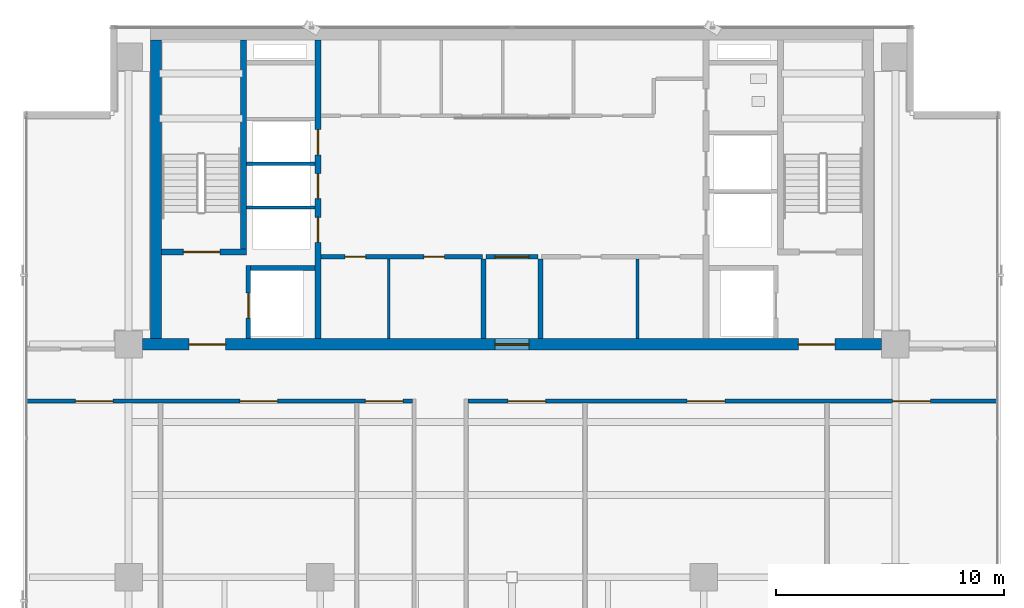
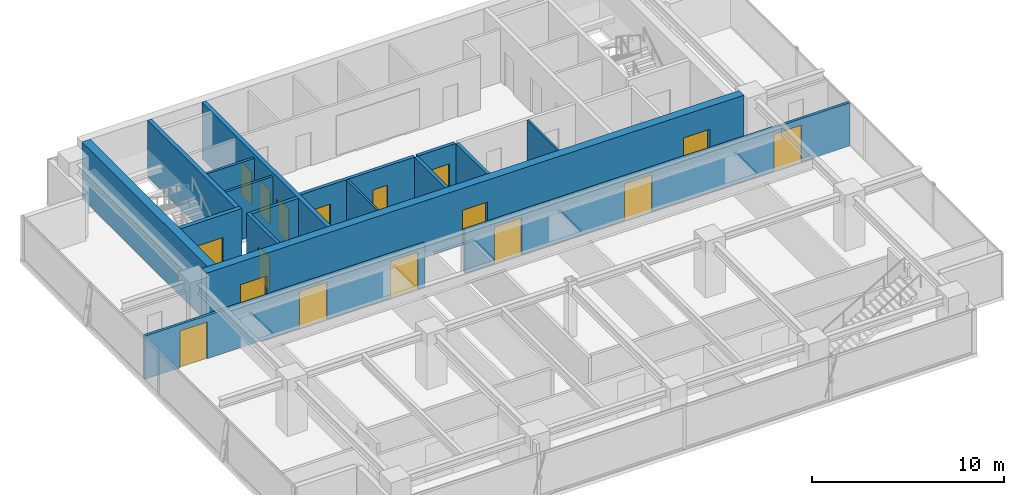
# One storey, part 15 of 22: 17 doors, 17 walls, 17 openings.
"""IFC4 building model written with IfcOpenShell, lengths in metres."""

from ifc_helpers import new_model, si_unit, direction, frame, frame_2d, origin, place, context, subcontext, project, spatial, rectangle, extrude, source, transform, mapped, material, layer, layer_set, type_object, element, fill, save


model = new_model("IFC4")

# Units and contexts
model_context = context("Model", 3, precision=1e-05, world=origin(), true_north=direction((0.0, 1.0)))
body_context = subcontext(model_context, "Body", "Model", "MODEL_VIEW")
ifc_project = project(units=[si_unit("LENGTHUNIT", "METRE"), si_unit("AREAUNIT", "SQUARE_METRE"), si_unit("VOLUMEUNIT", "CUBIC_METRE"), si_unit("PLANEANGLEUNIT", "RADIAN"), si_unit("MASSUNIT", "GRAM", prefix="KILO")], contexts=[model_context])

# Site, building, storey
site_placement = place(None, origin())
site = spatial("IfcSite", under=ifc_project, at=site_placement, CompositionType="ELEMENT")
building_placement = place(site_placement, origin())
building = spatial("IfcBuilding", under=site, at=building_placement, Name="Sumidabori Civic Tower", CompositionType="ELEMENT")
storey_placement = place(building_placement, frame((0.0, 0.0, 286.39990234375)))
storey = spatial("IfcBuildingStorey", under=building, at=storey_placement, Name="L75", CompositionType="ELEMENT", Elevation=286.39990234375)

# Walls
ifc_material_1 = material(Name="Concrete C50/60", Category="concrete")
ifc_layer_1 = layer(ifc_material_1, 0.199951171875, Name="Concrete C50/60")
ifc_layer_set_1 = layer_set([ifc_layer_1], Name="Concrete C50/60")
wall_type_1 = type_object("IfcWallType", Name="WL-SHAFT-200", PredefinedType="SHEAR", material=ifc_layer_set_1)
shared_shape_1 = source(origin(), body_context, "Body", "SweptSolid", [
    extrude(rectangle(XDim=2.824951171875, YDim=0.199951171875, at=frame_2d((1.41259765625, 0.0))), origin(), (0.0, 0.0, 1.0), 3.60009765625),
])
wall_1_placement = place(storey_placement, frame((-11.449951171875, 13.550048828125, 0.0), z_axis=(0.0, 0.0, 1.0), x_axis=(1.0, 0.0, 0.0)))
element("IfcWall", 1, at=wall_1_placement, inside=storey, type_object=wall_type_1, Name="Core Shear Wall L75 EL1-N", PredefinedType="SHEAR", context=body_context, shape_type="MappedRepresentation", body=[
    mapped(shared_shape_1, transform((0.0, 0.0, 0.0), x_axis=(1.0, 0.0, 0.0), y_axis=(0.0, 1.0, 0.0), z_axis=(0.0, 0.0, 1.0), scale=1.0)),
])
ifc_layer_2 = layer(ifc_material_1, 0.5, Name="Concrete C50/60")
ifc_layer_set_2 = layer_set([ifc_layer_2], Name="Concrete C50/60")
wall_type_2 = type_object("IfcWallType", Name="WL-CORE-500", PredefinedType="SHEAR", material=ifc_layer_set_2)
shared_shape_2 = source(origin(), body_context, "Body", "SweptSolid", [
    extrude(rectangle(XDim=13.10009765625, YDim=0.5, at=frame_2d((6.550048828125, 0.0))), origin(), (0.0, 0.0, 1.0), 3.60009765625),
])
wall_2_placement = place(storey_placement, frame((-15.60009765625, 10.449951171875, 0.0), z_axis=(0.0, 0.0, 1.0), x_axis=(0.0, 1.0, 0.0)))
element("IfcWall", 2, at=wall_2_placement, inside=storey, type_object=wall_type_2, Name="Core Shear Wall L75 W", PredefinedType="SHEAR", context=body_context, shape_type="MappedRepresentation", body=[
    mapped(shared_shape_2, transform((0.0, 0.0, 0.0), x_axis=(1.0, 0.0, 0.0), y_axis=(0.0, 1.0, 0.0), z_axis=(0.0, 0.0, 1.0), scale=1.0)),
])

# Wall, openings, doors
ifc_layer_3 = layer(ifc_material_1, 0.25, Name="Concrete C50/60")
ifc_layer_set_3 = layer_set([ifc_layer_3], Name="Concrete C50/60")
wall_type_3 = type_object("IfcWallType", Name="WL-SHAFT-250", PredefinedType="SHEAR", material=ifc_layer_set_3)
shared_shape_3 = source(origin(), body_context, "Body", "SweptSolid", [
    extrude(rectangle(XDim=13.10009765625, YDim=0.25, at=frame_2d((6.550048828125, 0.0))), origin(), (0.0, 0.0, 1.0), 3.60009765625),
])
wall_3_placement = place(storey_placement, frame((-8.5, 10.449951171875, 0.0), z_axis=(0.0, 0.0, 1.0), x_axis=(0.0, 1.0, 0.0)))
wall_3 = element("IfcWall", 3, at=wall_3_placement, inside=storey, type_object=wall_type_3, Name="Core Shear Wall L75 WEB-W", PredefinedType="SHEAR", context=body_context, shape_type="MappedRepresentation", body=[
    mapped(shared_shape_3, transform((0.0, 0.0, 0.0), x_axis=(1.0, 0.0, 0.0), y_axis=(0.0, 1.0, 0.0), z_axis=(0.0, 0.0, 1.0), scale=1.0)),
])
opening_1_placement = place(wall_3_placement, frame((4.219970703125, 0.0, 0.0)))
opening_1 = element("IfcOpeningElement", 4, at=opening_1_placement, cuts=wall_3, Name="Opening LD-1", PredefinedType="OPENING", context=body_context, shape_type="SweptSolid", body=[
    extrude(rectangle(XDim=1.10009765625, YDim=2.14990234375, at=frame_2d((0.550048828125, 1.074951171875))), frame((0.0, 0.136962890625, 0.0), z_axis=(0.0, -1.0, 0.0), x_axis=(1.0, 0.0, 0.0)), (0.0, 0.0, 1.0), 0.27392578125),
])
opening_2_placement = place(wall_3_placement, frame((6.139892578125, 0.0, 0.0)))
opening_2 = element("IfcOpeningElement", 5, at=opening_2_placement, cuts=wall_3, Name="Opening LD-1", PredefinedType="OPENING", context=body_context, shape_type="SweptSolid", body=[
    extrude(rectangle(XDim=1.10009765625, YDim=2.14990234375, at=frame_2d((0.550048828125, 1.074951171875))), frame((0.0, 0.136962890625, 0.0), z_axis=(0.0, -1.0, 0.0), x_axis=(1.0, 0.0, 0.0)), (0.0, 0.0, 1.0), 0.27392578125),
])
opening_3_placement = place(wall_3_placement, frame((8.06005859375, 0.0, 0.0)))
opening_3 = element("IfcOpeningElement", 6, at=opening_3_placement, cuts=wall_3, Name="Opening LD-1", PredefinedType="OPENING", context=body_context, shape_type="SweptSolid", body=[
    extrude(rectangle(XDim=1.10009765625, YDim=2.14990234375, at=frame_2d((0.550048828125, 1.074951171875))), frame((0.0, 0.136962890625, 0.0), z_axis=(0.0, -1.0, 0.0), x_axis=(1.0, 0.0, 0.0)), (0.0, 0.0, 1.0), 0.27392578125),
])
ifc_material_2 = material(Name="Stainless Steel Hairline Finish", Category="steel")
door_type_1 = type_object("IfcDoorType", Name="DR-LD1", OperationType="DOUBLE_DOOR_SLIDING", PredefinedType="DOOR", material=ifc_material_2)
shared_shape_4 = source(origin(), body_context, "Body", "SweptSolid", [
    extrude(rectangle(XDim=1.10009765625, YDim=2.14990234375, at=frame_2d((0.550048828125, 1.074951171875))), frame((0.0, 0.02490234375, 0.0), z_axis=(0.0, -1.0, 0.0), x_axis=(1.0, 0.0, 0.0)), (0.0, 0.0, 1.0), 0.050048828125),
])
door_1_placement = place(opening_1_placement, origin())
door_1 = element("IfcDoor", 7, at=door_1_placement, inside=storey, type_object=door_type_1, Name="Door DR:L75:LD-PLH1", OperationType="DOUBLE_DOOR_SLIDING", OverallHeight=2.14990234375, OverallWidth=1.10009765625, PredefinedType="DOOR", context=body_context, shape_type="MappedRepresentation", body=[
    mapped(shared_shape_4, transform((0.0, 0.0, 0.0), x_axis=(1.0, 0.0, 0.0), y_axis=(0.0, 1.0, 0.0), z_axis=(0.0, 0.0, 1.0), scale=1.0)),
])
fill(opening_1, door_1)
door_2_placement = place(opening_2_placement, origin())
door_2 = element("IfcDoor", 8, at=door_2_placement, inside=storey, type_object=door_type_1, Name="Door DR:L75:LD-PLH2", OperationType="DOUBLE_DOOR_SLIDING", OverallHeight=2.14990234375, OverallWidth=1.10009765625, PredefinedType="DOOR", context=body_context, shape_type="MappedRepresentation", body=[
    mapped(shared_shape_4, transform((0.0, 0.0, 0.0), x_axis=(1.0, 0.0, 0.0), y_axis=(0.0, 1.0, 0.0), z_axis=(0.0, 0.0, 1.0), scale=1.0)),
])
fill(opening_2, door_2)
door_3_placement = place(opening_3_placement, origin())
door_3 = element("IfcDoor", 9, at=door_3_placement, inside=storey, type_object=door_type_1, Name="Door DR:L75:LD-PLH3", OperationType="DOUBLE_DOOR_SLIDING", OverallHeight=2.14990234375, OverallWidth=1.10009765625, PredefinedType="DOOR", context=body_context, shape_type="MappedRepresentation", body=[
    mapped(shared_shape_4, transform((0.0, 0.0, 0.0), x_axis=(1.0, 0.0, 0.0), y_axis=(0.0, 1.0, 0.0), z_axis=(0.0, 0.0, 1.0), scale=1.0)),
])
fill(opening_3, door_3)

# Wall, opening, door
shared_shape_5 = source(origin(), body_context, "Body", "SweptSolid", [
    extrude(rectangle(XDim=3.705078125, YDim=0.25, at=frame_2d((1.8525390625, 0.0))), origin(), (0.0, 0.0, 1.0), 3.60009765625),
])
wall_4_placement = place(storey_placement, frame((-15.35009765625, 14.25, 0.0), z_axis=(0.0, 0.0, 1.0), x_axis=(1.0, 0.0, 0.0)))
wall_4 = element("IfcWall", 10, at=wall_4_placement, inside=storey, type_object=wall_type_3, Name="Core Shear Wall L75 ST1-S", PredefinedType="SHEAR", context=body_context, shape_type="MappedRepresentation", body=[
    mapped(shared_shape_5, transform((0.0, 0.0, 0.0), x_axis=(1.0, 0.0, 0.0), y_axis=(0.0, 1.0, 0.0), z_axis=(0.0, 0.0, 1.0), scale=1.0)),
])
opening_4_placement = place(wall_4_placement, frame((0.949951171875, 0.0, 0.0)))
opening_4 = element("IfcOpeningElement", 11, at=opening_4_placement, cuts=wall_4, Name="Opening DR-FD4", PredefinedType="OPENING", context=body_context, shape_type="SweptSolid", body=[
    extrude(rectangle(XDim=1.60009765625, YDim=2.14990234375, at=frame_2d((0.800048828125, 1.074951171875))), frame((0.0, 0.136962890625, 0.0), z_axis=(0.0, -1.0, 0.0), x_axis=(1.0, 0.0, 0.0)), (0.0, 0.0, 1.0), 0.27392578125),
])
ifc_material_3 = material(Name="Steel SN490", Category="steel")
door_type_2 = type_object("IfcDoorType", Name="DR-FD4", OperationType="DOUBLE_DOOR_SINGLE_SWING", PredefinedType="DOOR", material=ifc_material_3)
shared_shape_6 = source(origin(), body_context, "Body", "SweptSolid", [
    extrude(rectangle(XDim=1.60009765625, YDim=2.14990234375, at=frame_2d((0.800048828125, 1.074951171875))), frame((0.0, 0.02490234375, 0.0), z_axis=(0.0, -1.0, 0.0), x_axis=(1.0, 0.0, 0.0)), (0.0, 0.0, 1.0), 0.050048828125),
])
door_4_placement = place(opening_4_placement, origin())
door_4 = element("IfcDoor", 12, at=door_4_placement, inside=storey, type_object=door_type_2, Name="Door DR:L75:ST1", OperationType="DOUBLE_DOOR_SINGLE_SWING", OverallHeight=2.14990234375, OverallWidth=1.60009765625, PredefinedType="DOOR", context=body_context, shape_type="MappedRepresentation", body=[
    mapped(shared_shape_6, transform((0.0, 0.0, 0.0), x_axis=(1.0, 0.0, 0.0), y_axis=(0.0, 1.0, 0.0), z_axis=(0.0, 0.0, 1.0), scale=1.0)),
])
fill(opening_4, door_4)

# Wall
shared_shape_7 = source(origin(), body_context, "Body", "SweptSolid", [
    extrude(rectangle(XDim=9.175048828125, YDim=0.25, at=frame_2d((4.58740234375, 0.0))), origin(), (0.0, 0.0, 1.0), 3.60009765625),
])
wall_5_placement = place(storey_placement, frame((-11.77001953125, 14.375, 0.0), z_axis=(0.0, 0.0, 1.0), x_axis=(0.0, 1.0, 0.0)))
element("IfcWall", 13, at=wall_5_placement, inside=storey, type_object=wall_type_3, Name="Core Shear Wall L75 ST1-E", PredefinedType="SHEAR", context=body_context, shape_type="MappedRepresentation", body=[
    mapped(shared_shape_7, transform((0.0, 0.0, 0.0), x_axis=(1.0, 0.0, 0.0), y_axis=(0.0, 1.0, 0.0), z_axis=(0.0, 0.0, 1.0), scale=1.0)),
])

# Wall, opening, door
shared_shape_8 = source(origin(), body_context, "Body", "SweptSolid", [
    extrude(rectangle(XDim=3.199951171875, YDim=0.199951171875, at=frame_2d((1.60009765625, 0.0))), origin(), (0.0, 0.0, 1.0), 3.60009765625),
])
wall_6_placement = place(storey_placement, frame((-11.550048828125, 10.449951171875, 0.0), z_axis=(0.0, 0.0, 1.0), x_axis=(0.0, 1.0, 0.0)))
wall_6 = element("IfcWall", 14, at=wall_6_placement, inside=storey, type_object=wall_type_1, Name="Core Shear Wall L75 EL1-W", PredefinedType="SHEAR", context=body_context, shape_type="MappedRepresentation", body=[
    mapped(shared_shape_8, transform((0.0, 0.0, 0.0), x_axis=(1.0, 0.0, 0.0), y_axis=(0.0, 1.0, 0.0), z_axis=(0.0, 0.0, 1.0), scale=1.0)),
])
opening_5_placement = place(wall_6_placement, frame((0.89990234375, 0.0, 0.0)))
opening_5 = element("IfcOpeningElement", 15, at=opening_5_placement, cuts=wall_6, Name="Opening LD-2", PredefinedType="OPENING", context=body_context, shape_type="SweptSolid", body=[
    extrude(rectangle(XDim=1.10009765625, YDim=2.14990234375, at=frame_2d((0.550048828125, 1.074951171875))), frame((0.0, 0.11181640625, 0.0), z_axis=(0.0, -1.0, 0.0), x_axis=(1.0, 0.0, 0.0)), (0.0, 0.0, 1.0), 0.223876953125),
])
door_type_3 = type_object("IfcDoorType", Name="DR-LD2", OperationType="DOUBLE_DOOR_SLIDING", PredefinedType="DOOR", material=ifc_material_2)
door_5_placement = place(opening_5_placement, origin())
door_5 = element("IfcDoor", 16, at=door_5_placement, inside=storey, type_object=door_type_3, Name="Door DR:L75:LD-EL1", OperationType="DOUBLE_DOOR_SLIDING", OverallHeight=2.14990234375, OverallWidth=1.10009765625, PredefinedType="DOOR", context=body_context, shape_type="MappedRepresentation", body=[
    mapped(shared_shape_4, transform((0.0, 0.0, 0.0), x_axis=(1.0, 0.0, 0.0), y_axis=(0.0, 1.0, 0.0), z_axis=(0.0, 0.0, 1.0), scale=1.0)),
])
fill(opening_5, door_5)

# Wall, openings, doors
shared_shape_9 = source(origin(), body_context, "Body", "SweptSolid", [
    extrude(rectangle(XDim=32.39990234375, YDim=0.5, at=frame_2d((16.199951171875, 0.0))), origin(), (0.0, 0.0, 1.0), 3.60009765625),
])
wall_7_placement = place(storey_placement, frame((-16.199951171875, 10.199951171875, 0.0), z_axis=(0.0, 0.0, 1.0), x_axis=(1.0, 0.0, 0.0)))
wall_7 = element("IfcWall", 17, at=wall_7_placement, inside=storey, type_object=wall_type_2, Name="Core Shear Wall L75 S", PredefinedType="SHEAR", context=body_context, shape_type="MappedRepresentation", body=[
    mapped(shared_shape_9, transform((0.0, 0.0, 0.0), x_axis=(1.0, 0.0, 0.0), y_axis=(0.0, 1.0, 0.0), z_axis=(0.0, 0.0, 1.0), scale=1.0)),
])
opening_6_placement = place(wall_7_placement, frame((2.050048828125, 0.0, 0.0)))
opening_6 = element("IfcOpeningElement", 18, at=opening_6_placement, cuts=wall_7, Name="Opening DR-FD4", PredefinedType="OPENING", context=body_context, shape_type="SweptSolid", body=[
    extrude(rectangle(XDim=1.60009765625, YDim=2.14990234375, at=frame_2d((0.800048828125, 1.074951171875))), frame((0.0, 0.261962890625, 0.0), z_axis=(0.0, -1.0, 0.0), x_axis=(1.0, 0.0, 0.0)), (0.0, 0.0, 1.0), 0.52392578125),
])
opening_7_placement = place(wall_7_placement, frame((28.75, 0.0, 0.0)))
opening_7 = element("IfcOpeningElement", 19, at=opening_7_placement, cuts=wall_7, Name="Opening DR-FD4", PredefinedType="OPENING", context=body_context, shape_type="SweptSolid", body=[
    extrude(rectangle(XDim=1.60009765625, YDim=2.14990234375, at=frame_2d((0.800048828125, 1.074951171875))), frame((0.0, 0.261962890625, 0.0), z_axis=(0.0, -1.0, 0.0), x_axis=(1.0, 0.0, 0.0)), (0.0, 0.0, 1.0), 0.52392578125),
])
opening_8_placement = place(wall_7_placement, frame((15.449951171875, 0.0, 0.0)))
opening_8 = element("IfcOpeningElement", 20, at=opening_8_placement, cuts=wall_7, Name="Opening DR-FD3", PredefinedType="OPENING", context=body_context, shape_type="SweptSolid", body=[
    extrude(rectangle(XDim=1.5, YDim=2.199951171875, at=frame_2d((0.75, 1.10009765625))), frame((0.0, 0.261962890625, 0.0), z_axis=(0.0, -1.0, 0.0), x_axis=(1.0, 0.0, 0.0)), (0.0, 0.0, 1.0), 0.52392578125),
])
door_6_placement = place(opening_6_placement, origin())
door_6 = element("IfcDoor", 21, at=door_6_placement, inside=storey, type_object=door_type_2, Name="Door DR:L75:ELOB-W", OperationType="DOUBLE_DOOR_SINGLE_SWING", OverallHeight=2.14990234375, OverallWidth=1.60009765625, PredefinedType="DOOR", context=body_context, shape_type="MappedRepresentation", body=[
    mapped(shared_shape_6, transform((0.0, 0.0, 0.0), x_axis=(1.0, 0.0, 0.0), y_axis=(0.0, 1.0, 0.0), z_axis=(0.0, 0.0, 1.0), scale=1.0)),
])
fill(opening_6, door_6)
door_7_placement = place(opening_7_placement, origin())
door_7 = element("IfcDoor", 22, at=door_7_placement, inside=storey, type_object=door_type_2, Name="Door DR:L75:ELOB-E", OperationType="DOUBLE_DOOR_SINGLE_SWING", OverallHeight=2.14990234375, OverallWidth=1.60009765625, PredefinedType="DOOR", context=body_context, shape_type="MappedRepresentation", body=[
    mapped(shared_shape_6, transform((0.0, 0.0, 0.0), x_axis=(1.0, 0.0, 0.0), y_axis=(0.0, 1.0, 0.0), z_axis=(0.0, 0.0, 1.0), scale=1.0)),
])
fill(opening_7, door_7)
door_type_4 = type_object("IfcDoorType", Name="DR-FD-DBL", OperationType="DOUBLE_DOOR_SINGLE_SWING", PredefinedType="DOOR", material=ifc_material_3)
shared_shape_10 = source(origin(), body_context, "Body", "SweptSolid", [
    extrude(rectangle(XDim=1.5, YDim=2.199951171875, at=frame_2d((0.75, 1.10009765625))), frame((0.0, 0.02490234375, 0.0), z_axis=(0.0, -1.0, 0.0), x_axis=(1.0, 0.0, 0.0)), (0.0, 0.0, 1.0), 0.050048828125),
])
door_8_placement = place(opening_8_placement, origin())
door_8 = element("IfcDoor", 23, at=door_8_placement, inside=storey, type_object=door_type_4, Name="Door DR:L75:THROAT-OUT", OperationType="DOUBLE_DOOR_SINGLE_SWING", OverallHeight=2.199951171875, OverallWidth=1.5, PredefinedType="DOOR", context=body_context, shape_type="MappedRepresentation", body=[
    mapped(shared_shape_10, transform((0.0, 0.0, 0.0), x_axis=(1.0, 0.0, 0.0), y_axis=(0.0, 1.0, 0.0), z_axis=(0.0, 0.0, 1.0), scale=1.0)),
])
fill(opening_8, door_8)

# Walls
ifc_material_4 = material(Name="Gypsum Plasterboard Acoustic Partition")
ifc_layer_4 = layer(ifc_material_4, 0.14990234375, Name="Gypsum Plasterboard Acoustic Partition")
ifc_layer_set_4 = layer_set([ifc_layer_4], Name="Gypsum Plasterboard Acoustic Partition")
wall_type_4 = type_object("IfcWallType", Name="WL-PART-150", PredefinedType="PARTITIONING", material=ifc_layer_set_4)
shared_shape_11 = source(origin(), body_context, "Body", "SweptSolid", [
    extrude(rectangle(XDim=3.010009765625, YDim=0.14990234375, at=frame_2d((1.5048828125, 0.0))), origin(), (0.0, 0.0, 1.0), 3.3701171875),
])
for number, where, z_axis, x_axis, name in (
    (24, (-11.639892578125, 16.199951171875, 0.0), (0.0, 0.0, 1.0), (1.0, 0.0, 0.0), "Interior Partition WL:L75:DIV-PLH1"),
    (25, (-11.639892578125, 18.1201171875, 0.0), (0.0, 0.0, 1.0), (1.0, 0.0, 0.0), "Interior Partition WL:L75:DIV-PLH2"),
):
    element("IfcWall", number, at=place(storey_placement, frame(where, z_axis=z_axis, x_axis=x_axis)), inside=storey, type_object=wall_type_4, Name=name, PredefinedType="PARTITIONING", context=body_context, shape_type="MappedRepresentation", body=[
        mapped(shared_shape_11, transform((0.0, 0.0, 0.0), x_axis=(1.0, 0.0, 0.0), y_axis=(0.0, 1.0, 0.0), z_axis=(0.0, 0.0, 1.0), scale=1.0)),
    ])

# Wall, openings, doors
ifc_material_5 = material(Name="Gypsum Plasterboard Fire Partition")
ifc_layer_5 = layer(ifc_material_5, 0.199951171875, Name="Gypsum Plasterboard Fire Partition")
ifc_layer_set_5 = layer_set([ifc_layer_5], Name="Gypsum Plasterboard Fire Partition")
wall_type_5 = type_object("IfcWallType", Name="WL-PART-FIRE", PredefinedType="PARTITIONING", material=ifc_layer_set_5)
shared_shape_12 = source(origin(), body_context, "Body", "SweptSolid", [
    extrude(rectangle(XDim=7.070068359375, YDim=0.199951171875, at=frame_2d((3.53515625, 0.0))), origin(), (0.0, 0.0, 1.0), 3.3701171875),
])
wall_8_placement = place(storey_placement, frame((-8.3701171875, 14.050048828125, 0.0), z_axis=(0.0, 0.0, 1.0), x_axis=(1.0, 0.0, 0.0)))
wall_8 = element("IfcWall", 26, at=wall_8_placement, inside=storey, type_object=wall_type_5, Name="Interior Partition WL:L75:CBAND-SW", PredefinedType="PARTITIONING", context=body_context, shape_type="MappedRepresentation", body=[
    mapped(shared_shape_12, transform((0.0, 0.0, 0.0), x_axis=(1.0, 0.0, 0.0), y_axis=(0.0, 1.0, 0.0), z_axis=(0.0, 0.0, 1.0), scale=1.0)),
])
opening_9_placement = place(wall_8_placement, frame((1.06005859375, 0.0, 0.0)))
opening_9 = element("IfcOpeningElement", 27, at=opening_9_placement, cuts=wall_8, Name="Opening DR-1", PredefinedType="OPENING", context=body_context, shape_type="SweptSolid", body=[
    extrude(rectangle(XDim=0.89990234375, YDim=2.14990234375, at=frame_2d((0.449951171875, 1.074951171875))), frame((0.0, 0.11181640625, 0.0), z_axis=(0.0, -1.0, 0.0), x_axis=(1.0, 0.0, 0.0)), (0.0, 0.0, 1.0), 0.223876953125),
])
opening_10_placement = place(wall_8_placement, frame((4.510009765625, 0.0, 0.0)))
opening_10 = element("IfcOpeningElement", 28, at=opening_10_placement, cuts=wall_8, Name="Opening DR-1", PredefinedType="OPENING", context=body_context, shape_type="SweptSolid", body=[
    extrude(rectangle(XDim=0.89990234375, YDim=2.14990234375, at=frame_2d((0.449951171875, 1.074951171875))), frame((0.0, 0.11181640625, 0.0), z_axis=(0.0, -1.0, 0.0), x_axis=(1.0, 0.0, 0.0)), (0.0, 0.0, 1.0), 0.223876953125),
])
ifc_material_6 = material(Name="Japanese Hinoki Timber", Category="wood")
door_type_5 = type_object("IfcDoorType", Name="DR-INT-900", OperationType="NOTDEFINED", PredefinedType="DOOR", material=ifc_material_6)
shared_shape_13 = source(origin(), body_context, "Body", "SweptSolid", [
    extrude(rectangle(XDim=0.89990234375, YDim=2.14990234375, at=frame_2d((0.449951171875, 1.074951171875))), frame((0.0, 0.02490234375, 0.0), z_axis=(0.0, -1.0, 0.0), x_axis=(1.0, 0.0, 0.0)), (0.0, 0.0, 1.0), 0.050048828125),
])
door_9_placement = place(opening_9_placement, origin())
door_9 = element("IfcDoor", 29, at=door_9_placement, inside=storey, type_object=door_type_5, Name="Door DR:L75:REC-B1A", OperationType="SINGLE_SWING_LEFT", OverallHeight=2.14990234375, OverallWidth=0.89990234375, PredefinedType="DOOR", context=body_context, shape_type="MappedRepresentation", body=[
    mapped(shared_shape_13, transform((0.0, 0.0, 0.0), x_axis=(1.0, 0.0, 0.0), y_axis=(0.0, 1.0, 0.0), z_axis=(0.0, 0.0, 1.0), scale=1.0)),
])
fill(opening_9, door_9)
door_10_placement = place(opening_10_placement, origin())
door_10 = element("IfcDoor", 30, at=door_10_placement, inside=storey, type_object=door_type_5, Name="Door DR:L75:REC-B1B", OperationType="SINGLE_SWING_RIGHT", OverallHeight=2.14990234375, OverallWidth=0.89990234375, PredefinedType="DOOR", context=body_context, shape_type="MappedRepresentation", body=[
    mapped(shared_shape_13, transform((0.0, 0.0, 0.0), x_axis=(1.0, 0.0, 0.0), y_axis=(0.0, 1.0, 0.0), z_axis=(0.0, 0.0, 1.0), scale=1.0)),
])
fill(opening_10, door_10)

# Walls
shared_shape_14 = source(origin(), body_context, "Body", "SweptSolid", [
    extrude(rectangle(XDim=3.489990234375, YDim=0.199951171875, at=frame_2d((1.7451171875, 0.0))), origin(), (0.0, 0.0, 1.0), 3.3701171875),
])
for number, where, z_axis, x_axis, name in (
    (31, (-1.25, 10.449951171875, 0.0), (0.0, 0.0, 1.0), (0.0, 1.0, 0.0), "Interior Partition WL:L75:THROAT-W"),
    (32, (1.25, 10.449951171875, 0.0), (0.0, 0.0, 1.0), (0.0, 1.0, 0.0), "Interior Partition WL:L75:THROAT-E"),
):
    element("IfcWall", number, at=place(storey_placement, frame(where, z_axis=z_axis, x_axis=x_axis)), inside=storey, type_object=wall_type_5, Name=name, PredefinedType="PARTITIONING", context=body_context, shape_type="MappedRepresentation", body=[
        mapped(shared_shape_14, transform((0.0, 0.0, 0.0), x_axis=(1.0, 0.0, 0.0), y_axis=(0.0, 1.0, 0.0), z_axis=(0.0, 0.0, 1.0), scale=1.0)),
    ])

# Wall, opening, door
shared_shape_15 = source(origin(), body_context, "Body", "SweptSolid", [
    extrude(rectangle(XDim=2.2998046875, YDim=0.199951171875, at=frame_2d((1.14990234375, 0.0))), origin(), (0.0, 0.0, 1.0), 3.3701171875),
])
wall_9_placement = place(storey_placement, frame((-1.14990234375, 14.050048828125, 0.0), z_axis=(0.0, 0.0, 1.0), x_axis=(1.0, 0.0, 0.0)))
wall_9 = element("IfcWall", 33, at=wall_9_placement, inside=storey, type_object=wall_type_5, Name="Interior Partition WL:L75:THROAT-N", PredefinedType="PARTITIONING", context=body_context, shape_type="MappedRepresentation", body=[
    mapped(shared_shape_15, transform((0.0, 0.0, 0.0), x_axis=(1.0, 0.0, 0.0), y_axis=(0.0, 1.0, 0.0), z_axis=(0.0, 0.0, 1.0), scale=1.0)),
])
opening_11_placement = place(wall_9_placement, frame((0.39990234375, 0.0, 0.0)))
opening_11 = element("IfcOpeningElement", 34, at=opening_11_placement, cuts=wall_9, Name="Opening DR-FD3", PredefinedType="OPENING", context=body_context, shape_type="SweptSolid", body=[
    extrude(rectangle(XDim=1.5, YDim=2.199951171875, at=frame_2d((0.75, 1.10009765625))), frame((0.0, 0.11181640625, 0.0), z_axis=(0.0, -1.0, 0.0), x_axis=(1.0, 0.0, 0.0)), (0.0, 0.0, 1.0), 0.223876953125),
])
door_11_placement = place(opening_11_placement, origin())
door_11 = element("IfcDoor", 35, at=door_11_placement, inside=storey, type_object=door_type_4, Name="Door DR:L75:THROAT-IN", OperationType="DOUBLE_DOOR_SINGLE_SWING", OverallHeight=2.199951171875, OverallWidth=1.5, PredefinedType="DOOR", context=body_context, shape_type="MappedRepresentation", body=[
    mapped(shared_shape_10, transform((0.0, 0.0, 0.0), x_axis=(1.0, 0.0, 0.0), y_axis=(0.0, 1.0, 0.0), z_axis=(0.0, 0.0, 1.0), scale=1.0)),
])
fill(opening_11, door_11)

# Walls
ifc_layer_6 = layer(ifc_material_4, 0.1201171875, Name="Gypsum Plasterboard Acoustic Partition")
ifc_layer_set_6 = layer_set([ifc_layer_6], Name="Gypsum Plasterboard Acoustic Partition")
wall_type_6 = type_object("IfcWallType", Name="WL-PART-120", PredefinedType="PARTITIONING", material=ifc_layer_set_6)
shared_shape_16 = source(origin(), body_context, "Body", "SweptSolid", [
    extrude(rectangle(XDim=3.489990234375, YDim=0.1201171875, at=frame_2d((1.7451171875, 0.0))), origin(), (0.0, 0.0, 1.0), 3.3701171875),
])
for number, where, z_axis, x_axis, name in (
    (36, (-5.39990234375, 10.449951171875, 0.0), (0.0, 0.0, 1.0), (0.0, 1.0, 0.0), "Interior Partition WL:L75:REC-B1-SP"),
    (37, (5.5, 10.449951171875, 0.0), (0.0, 0.0, 1.0), (0.0, 1.0, 0.0), "Interior Partition WL:L75:REC-B2-SP"),
):
    element("IfcWall", number, at=place(storey_placement, frame(where, z_axis=z_axis, x_axis=x_axis)), inside=storey, type_object=wall_type_6, Name=name, PredefinedType="PARTITIONING", context=body_context, shape_type="MappedRepresentation", body=[
        mapped(shared_shape_16, transform((0.0, 0.0, 0.0), x_axis=(1.0, 0.0, 0.0), y_axis=(0.0, 1.0, 0.0), z_axis=(0.0, 0.0, 1.0), scale=1.0)),
    ])

# Wall, openings, doors
ifc_layer_7 = layer(ifc_material_4, 0.1650390625, Name="Gypsum Plasterboard Acoustic Partition")
ifc_layer_set_7 = layer_set([ifc_layer_7], Name="Gypsum Plasterboard Acoustic Partition")
wall_type_7 = type_object("IfcWallType", Name="WL-PART-165", PredefinedType="PARTITIONING", material=ifc_layer_set_7)
shared_shape_17 = source(origin(), body_context, "Body", "SweptSolid", [
    extrude(rectangle(XDim=16.885009765625, YDim=0.1650390625, at=frame_2d((8.4423828125, 0.0))), origin(), (0.0, 0.0, 1.0), 2.755126953125),
])
wall_10_placement = place(storey_placement, frame((-21.25, 7.717529296875, 0.0), z_axis=(0.0, 0.0, 1.0), x_axis=(1.0, 0.0, 0.0)))
wall_10 = element("IfcWall", 38, at=wall_10_placement, inside=storey, type_object=wall_type_7, Name="Interior Partition WL:L75:CORR-SW", PredefinedType="PARTITIONING", context=body_context, shape_type="MappedRepresentation", body=[
    mapped(shared_shape_17, transform((0.0, 0.0, 0.0), x_axis=(1.0, 0.0, 0.0), y_axis=(0.0, 1.0, 0.0), z_axis=(0.0, 0.0, 1.0), scale=1.0)),
])
opening_12_placement = place(wall_10_placement, frame((9.324951171875, 0.0, 0.0)))
opening_12 = element("IfcOpeningElement", 39, at=opening_12_placement, cuts=wall_10, Name="Opening DR-6", PredefinedType="OPENING", context=body_context, shape_type="SweptSolid", body=[
    extrude(rectangle(XDim=1.64990234375, YDim=2.35009765625, at=frame_2d((0.824951171875, 1.175048828125))), frame((0.0, 0.094482421875, 0.0), z_axis=(0.0, -1.0, 0.0), x_axis=(1.0, 0.0, 0.0)), (0.0, 0.0, 1.0), 0.18896484375),
])
opening_13_placement = place(wall_10_placement, frame((14.82373046875, 0.0, 0.0)))
opening_13 = element("IfcOpeningElement", 40, at=opening_13_placement, cuts=wall_10, Name="Opening DR-6", PredefinedType="OPENING", context=body_context, shape_type="SweptSolid", body=[
    extrude(rectangle(XDim=1.64990234375, YDim=2.35009765625, at=frame_2d((0.824951171875, 1.175048828125))), frame((0.0, 0.094482421875, 0.0), z_axis=(0.0, -1.0, 0.0), x_axis=(1.0, 0.0, 0.0)), (0.0, 0.0, 1.0), 0.18896484375),
])
opening_14_placement = place(wall_10_placement, frame((2.11865234375, 0.0, 0.0)))
opening_14 = element("IfcOpeningElement", 41, at=opening_14_placement, cuts=wall_10, Name="Opening DR-6", PredefinedType="OPENING", context=body_context, shape_type="SweptSolid", body=[
    extrude(rectangle(XDim=1.64990234375, YDim=2.35009765625, at=frame_2d((0.824951171875, 1.175048828125))), frame((0.0, 0.094482421875, 0.0), z_axis=(0.0, -1.0, 0.0), x_axis=(1.0, 0.0, 0.0)), (0.0, 0.0, 1.0), 0.18896484375),
])
ifc_material_7 = material(Name="Anodised Bronze Aluminium AW-6063-T6", Category="aluminium")
door_type_6 = type_object("IfcDoorType", Name="DR-DBL-1650", OperationType="DOUBLE_DOOR_SINGLE_SWING", PredefinedType="DOOR", material=ifc_material_7)
shared_shape_18 = source(origin(), body_context, "Body", "SweptSolid", [
    extrude(rectangle(XDim=1.64990234375, YDim=2.35009765625, at=frame_2d((0.824951171875, 1.175048828125))), frame((0.0, 0.02490234375, 0.0), z_axis=(0.0, -1.0, 0.0), x_axis=(1.0, 0.0, 0.0)), (0.0, 0.0, 1.0), 0.050048828125),
])
door_12_placement = place(opening_12_placement, origin())
door_12 = element("IfcDoor", 42, at=door_12_placement, inside=storey, type_object=door_type_6, Name="Door DR:L75:D03", OperationType="DOUBLE_DOOR_SINGLE_SWING", OverallHeight=2.35009765625, OverallWidth=1.64990234375, PredefinedType="DOOR", context=body_context, shape_type="MappedRepresentation", body=[
    mapped(shared_shape_18, transform((0.0, 0.0, 0.0), x_axis=(1.0, 0.0, 0.0), y_axis=(0.0, 1.0, 0.0), z_axis=(0.0, 0.0, 1.0), scale=1.0)),
])
fill(opening_12, door_12)
door_13_placement = place(opening_13_placement, origin())
door_13 = element("IfcDoor", 43, at=door_13_placement, inside=storey, type_object=door_type_6, Name="Door DR:L75:D04", OperationType="DOUBLE_DOOR_SINGLE_SWING", OverallHeight=2.35009765625, OverallWidth=1.64990234375, PredefinedType="DOOR", context=body_context, shape_type="MappedRepresentation", body=[
    mapped(shared_shape_18, transform((0.0, 0.0, 0.0), x_axis=(1.0, 0.0, 0.0), y_axis=(0.0, 1.0, 0.0), z_axis=(0.0, 0.0, 1.0), scale=1.0)),
])
fill(opening_13, door_13)
door_14_placement = place(opening_14_placement, origin())
door_14 = element("IfcDoor", 44, at=door_14_placement, inside=storey, type_object=door_type_6, Name="Door DR:L75:D08", OperationType="DOUBLE_DOOR_SINGLE_SWING", OverallHeight=2.35009765625, OverallWidth=1.64990234375, PredefinedType="DOOR", context=body_context, shape_type="MappedRepresentation", body=[
    mapped(shared_shape_18, transform((0.0, 0.0, 0.0), x_axis=(1.0, 0.0, 0.0), y_axis=(0.0, 1.0, 0.0), z_axis=(0.0, 0.0, 1.0), scale=1.0)),
])
fill(opening_14, door_14)

shared_shape_19 = source(origin(), body_context, "Body", "SweptSolid", [
    extrude(rectangle(XDim=23.18505859375, YDim=0.1650390625, at=frame_2d((11.592529296875, 0.0))), origin(), (0.0, 0.0, 1.0), 2.755126953125),
])
wall_11_placement = place(storey_placement, frame((-1.93505859375, 7.717529296875, 0.0), z_axis=(0.0, 0.0, 1.0), x_axis=(1.0, 0.0, 0.0)))
wall_11 = element("IfcWall", 45, at=wall_11_placement, inside=storey, type_object=wall_type_7, Name="Interior Partition WL:L75:CORR-SE", PredefinedType="PARTITIONING", context=body_context, shape_type="MappedRepresentation", body=[
    mapped(shared_shape_19, transform((0.0, 0.0, 0.0), x_axis=(1.0, 0.0, 0.0), y_axis=(0.0, 1.0, 0.0), z_axis=(0.0, 0.0, 1.0), scale=1.0)),
])
opening_15_placement = place(wall_11_placement, frame((1.76123046875, 0.0, 0.0)))
opening_15 = element("IfcOpeningElement", 46, at=opening_15_placement, cuts=wall_11, Name="Opening DR-6", PredefinedType="OPENING", context=body_context, shape_type="SweptSolid", body=[
    extrude(rectangle(XDim=1.64990234375, YDim=2.35009765625, at=frame_2d((0.824951171875, 1.175048828125))), frame((0.0, 0.094482421875, 0.0), z_axis=(0.0, -1.0, 0.0), x_axis=(1.0, 0.0, 0.0)), (0.0, 0.0, 1.0), 0.18896484375),
])
opening_16_placement = place(wall_11_placement, frame((9.610107421875, 0.0, 0.0)))
opening_16 = element("IfcOpeningElement", 47, at=opening_16_placement, cuts=wall_11, Name="Opening DR-6", PredefinedType="OPENING", context=body_context, shape_type="SweptSolid", body=[
    extrude(rectangle(XDim=1.64990234375, YDim=2.35009765625, at=frame_2d((0.824951171875, 1.175048828125))), frame((0.0, 0.094482421875, 0.0), z_axis=(0.0, -1.0, 0.0), x_axis=(1.0, 0.0, 0.0)), (0.0, 0.0, 1.0), 0.18896484375),
])
opening_17_placement = place(wall_11_placement, frame((18.6162109375, 0.0, 0.0)))
opening_17 = element("IfcOpeningElement", 48, at=opening_17_placement, cuts=wall_11, Name="Opening DR-6", PredefinedType="OPENING", context=body_context, shape_type="SweptSolid", body=[
    extrude(rectangle(XDim=1.64990234375, YDim=2.35009765625, at=frame_2d((0.824951171875, 1.175048828125))), frame((0.0, 0.094482421875, 0.0), z_axis=(0.0, -1.0, 0.0), x_axis=(1.0, 0.0, 0.0)), (0.0, 0.0, 1.0), 0.18896484375),
])
door_15_placement = place(opening_15_placement, origin())
door_15 = element("IfcDoor", 49, at=door_15_placement, inside=storey, type_object=door_type_6, Name="Door DR:L75:D05", OperationType="DOUBLE_DOOR_SINGLE_SWING", OverallHeight=2.35009765625, OverallWidth=1.64990234375, PredefinedType="DOOR", context=body_context, shape_type="MappedRepresentation", body=[
    mapped(shared_shape_18, transform((0.0, 0.0, 0.0), x_axis=(1.0, 0.0, 0.0), y_axis=(0.0, 1.0, 0.0), z_axis=(0.0, 0.0, 1.0), scale=1.0)),
])
fill(opening_15, door_15)
door_16_placement = place(opening_16_placement, origin())
door_16 = element("IfcDoor", 50, at=door_16_placement, inside=storey, type_object=door_type_6, Name="Door DR:L75:D06", OperationType="DOUBLE_DOOR_SINGLE_SWING", OverallHeight=2.35009765625, OverallWidth=1.64990234375, PredefinedType="DOOR", context=body_context, shape_type="MappedRepresentation", body=[
    mapped(shared_shape_18, transform((0.0, 0.0, 0.0), x_axis=(1.0, 0.0, 0.0), y_axis=(0.0, 1.0, 0.0), z_axis=(0.0, 0.0, 1.0), scale=1.0)),
])
fill(opening_16, door_16)
door_17_placement = place(opening_17_placement, origin())
door_17 = element("IfcDoor", 51, at=door_17_placement, inside=storey, type_object=door_type_6, Name="Door DR:L75:D07", OperationType="DOUBLE_DOOR_SINGLE_SWING", OverallHeight=2.35009765625, OverallWidth=1.64990234375, PredefinedType="DOOR", context=body_context, shape_type="MappedRepresentation", body=[
    mapped(shared_shape_18, transform((0.0, 0.0, 0.0), x_axis=(1.0, 0.0, 0.0), y_axis=(0.0, 1.0, 0.0), z_axis=(0.0, 0.0, 1.0), scale=1.0)),
])
fill(opening_17, door_17)

save(model, "model.ifc")
